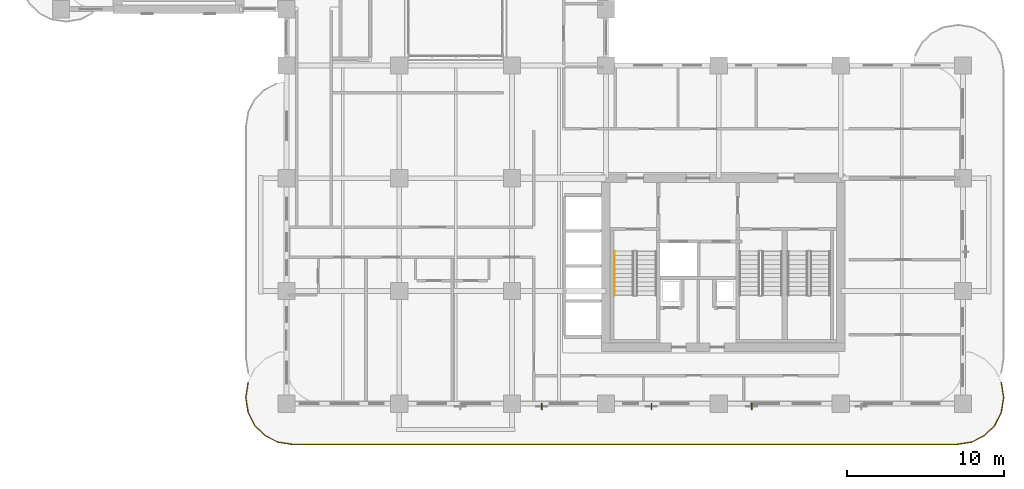
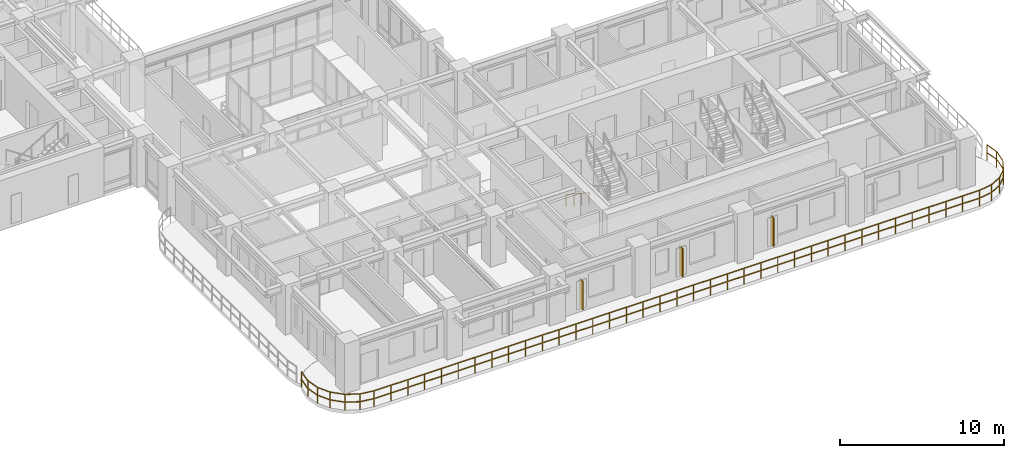
# One storey, part 20 of 22: 3 shading devices, 2 railings.
"""IFC4 building model written with IfcOpenShell, lengths in metres."""

import ifcopenshell
import ifcopenshell.guid

model = None  # the IFC model being written
_history = None  # IfcOwnerHistory: only IFC2X3 demands one
_inside = {}  # id of a spatial element -> (the spatial element, [elements in it])
_under = {}  # id of a project, library or spatial element -> (it, [spatial elements below it])
_declared = {}  # id of a project -> (the project, [libraries it declares])
_typed = {}  # id of a type object -> (the type object, [elements of that type])
_made_of = {}  # id of a material, layer set ... -> (it, [elements and type objects made of it])


def new_model(schema):
    """Start an empty IFC model of exactly this schema.

    Asked for "IFC4X3", IfcOpenShell would pick the latest addendum, in which some entities
    have other attributes; the version numbers below select the first issue.
    IFC2X3 requires an IfcOwnerHistory on every rooted entity: one is made here for all.
    """
    global model, _history
    if schema == "IFC4X3":
        model = ifcopenshell.file(schema_version=(4, 3, 0, 0))
    else:
        model = ifcopenshell.file(schema=schema)
    _inside.clear()
    _under.clear()
    _declared.clear()
    _typed.clear()
    _made_of.clear()
    _history = None
    if model.schema == "IFC2X3":
        org = make("IfcOrganization", Name="unknown")
        user = make(
            "IfcPersonAndOrganization",
            ThePerson=make("IfcPerson", FamilyName="unknown"),
            TheOrganization=org,
        )
        app = make(
            "IfcApplication",
            ApplicationDeveloper=org,
            Version="unknown",
            ApplicationFullName="unknown",
            ApplicationIdentifier="unknown",
        )
        _history = make(
            "IfcOwnerHistory",
            OwningUser=user,
            OwningApplication=app,
            ChangeAction="ADDED",
            CreationDate=0,
        )
    return model


def make(cls, **values):
    """One entity of the class cls with the attributes given. An attribute that is None is left unset."""
    return model.create_entity(
        cls, **{name: value for name, value in values.items() if value is not None}
    )


def rooted(cls, **values):
    """An entity with a GlobalId (a new one), such as an element, a storey or a relation."""
    return make(cls, GlobalId=ifcopenshell.guid.new(), OwnerHistory=_history, **values)


def si_unit(unit_type, name, prefix=None):
    """IfcSIUnit, for example si_unit("LENGTHUNIT", "METRE", prefix="MILLI")."""
    return make("IfcSIUnit", UnitType=unit_type, Prefix=prefix, Name=name)


def derived_unit(unit_type, elements):
    """IfcDerivedUnit: a product of units, each with its exponent."""
    return make(
        "IfcDerivedUnit",
        Elements=[
            make("IfcDerivedUnitElement", Unit=unit, Exponent=power)
            for unit, power in elements
        ],
        UnitType=unit_type,
    )


def assignment(units):
    """IfcUnitAssignment: the units of a project."""
    return None if units is None else make("IfcUnitAssignment", Units=units)


def point(xyz):
    """IfcCartesianPoint."""
    return None if xyz is None else make("IfcCartesianPoint", Coordinates=xyz)


def direction(xyz):
    """IfcDirection."""
    return None if xyz is None else make("IfcDirection", DirectionRatios=xyz)


def frame(location, z_axis=None, x_axis=None):
    """IfcAxis2Placement3D, a coordinate frame: its origin and axes. An axis left out is left unset."""
    return make(
        "IfcAxis2Placement3D",
        Location=point(location),
        Axis=direction(z_axis),
        RefDirection=direction(x_axis),
    )


def frame_2d(location, x_axis=None):
    """IfcAxis2Placement2D, a coordinate frame in the plane: its origin and x axis."""
    return make(
        "IfcAxis2Placement2D", Location=point(location), RefDirection=direction(x_axis)
    )


def origin():
    """The frame at (0, 0, 0) with its axes left unset."""
    return frame((0.0, 0.0, 0.0))


def origin_2d():
    """The frame at (0, 0) in the plane with its x axis left unset."""
    return frame_2d((0.0, 0.0))


def place(relative_to, where):
    """IfcLocalPlacement: puts the frame where relative to a parent placement (None: the world)."""
    return make(
        "IfcLocalPlacement", PlacementRelTo=relative_to, RelativePlacement=where
    )


def context(
    kind, dimensions, precision=None, world=None, true_north=None, identifier=None
):
    """IfcGeometricRepresentationContext, for example the 3D "Model" context."""
    return make(
        "IfcGeometricRepresentationContext",
        ContextIdentifier=identifier,
        ContextType=kind,
        CoordinateSpaceDimension=dimensions,
        Precision=precision,
        WorldCoordinateSystem=world,
        TrueNorth=true_north,
    )


def subcontext(parent, identifier, kind, view, scale=None):
    """IfcGeometricRepresentationSubContext, for example "Body" below "Model"."""
    return make(
        "IfcGeometricRepresentationSubContext",
        ContextIdentifier=identifier,
        ContextType=kind,
        ParentContext=parent,
        TargetScale=scale,
        TargetView=view,
    )


def project(units=None, contexts=None):
    """IfcProject with its units and contexts."""
    return rooted(
        "IfcProject",
        Name="project",
        RepresentationContexts=contexts,
        UnitsInContext=assignment(units),
    )


def spatial(cls, under=None, at=None, **own):
    """A site, building, storey or space (cls), placed at a placement, below another one or the project."""
    s = rooted(cls, ObjectPlacement=at, **own)
    if under is not None:
        _under.setdefault(under.id(), (under, []))[1].append(s)
    return s


def profile(cls, at=None, kind="AREA", **sizes):
    """A parametric profile (cls). Its sizes go by their IFC names, for example OverallWidth=200.0."""
    return make(cls, ProfileType=kind, Position=at, **sizes)


def rectangle(**sizes):
    """IfcRectangleProfileDef."""
    return profile("IfcRectangleProfileDef", **sizes)


def extrude(swept, where, along, depth):
    """IfcExtrudedAreaSolid: the profile swept, set in the frame where, extruded along a direction by depth."""
    return make(
        "IfcExtrudedAreaSolid",
        SweptArea=swept,
        Position=where,
        ExtrudedDirection=direction(along),
        Depth=depth,
    )


def shape(context_of_items, identifier, shape_type, items):
    """IfcShapeRepresentation: the items that make up one representation, for example the "Body"."""
    return make(
        "IfcShapeRepresentation",
        ContextOfItems=context_of_items,
        RepresentationIdentifier=identifier,
        RepresentationType=shape_type,
        Items=items,
    )


def source(mapping_origin, context_of_items, identifier, shape_type, items):
    """IfcRepresentationMap: a shape defined once, which mapped items show again and again."""
    return make(
        "IfcRepresentationMap",
        MappingOrigin=mapping_origin,
        MappedRepresentation=shape(context_of_items, identifier, shape_type, items),
    )


def transform(
    local_origin,
    x_axis=None,
    y_axis=None,
    z_axis=None,
    scale=None,
    scale2=None,
    scale3=None,
    uniform=True,
):
    """IfcCartesianTransformationOperator3D, or its non-uniform kind. x_axis, y_axis, z_axis: its Axis1, 2, 3."""
    if uniform:
        return make(
            "IfcCartesianTransformationOperator3D",
            Axis1=direction(x_axis),
            Axis2=direction(y_axis),
            LocalOrigin=point(local_origin),
            Scale=scale,
            Axis3=direction(z_axis),
        )
    return make(
        "IfcCartesianTransformationOperator3DnonUniform",
        Axis1=direction(x_axis),
        Axis2=direction(y_axis),
        LocalOrigin=point(local_origin),
        Scale=scale,
        Axis3=direction(z_axis),
        Scale2=scale2,
        Scale3=scale3,
    )


def mapped(mapping_source, mapping_target):
    """IfcMappedItem: shows the shape of a source again, moved by a transform."""
    return make(
        "IfcMappedItem", MappingSource=mapping_source, MappingTarget=mapping_target
    )


def material(Name=None, Category=None):
    """IfcMaterial."""
    return make("IfcMaterial", Name=Name, Category=Category)


def layer(
    of_material, thickness, ventilated=None, Name=None, Category=None, Priority=None
):
    """IfcMaterialLayer: one layer of a wall or slab, of a material (None: an air gap)."""
    return make(
        "IfcMaterialLayer",
        Material=of_material,
        LayerThickness=thickness,
        IsVentilated=ventilated,
        Name=Name,
        Category=Category,
        Priority=Priority,
    )


def layer_set(layers, Name=None):
    """IfcMaterialLayerSet."""
    return make("IfcMaterialLayerSet", MaterialLayers=layers, LayerSetName=Name)


def made_of(thing, what):
    """Note that an element or type object is made of a material, layer set ...; save() writes the relation."""
    if what is not None:
        _made_of.setdefault(what.id(), (what, []))[1].append(thing)
    return thing


def type_object(cls, material=None, **own):
    """A type object (cls), such as IfcWallType, which elements share."""
    return made_of(rooted(cls, **own), material)


def type_shapes(of_type, sources):
    """Give a type object the sources (RepresentationMaps) that its elements show as mapped items."""
    of_type.RepresentationMaps = sources


def element(
    cls,
    number,
    at=None,
    inside=None,
    cuts=None,
    type_object=None,
    material=None,
    context=None,
    identifier="Body",
    shape_type=None,
    held_by="IfcProductDefinitionShape",
    body=None,
    shapes=None,
    **own,
):
    """One element of the class cls, such as IfcWall. Its Tag is "e" and its number.

    at: its placement. inside: the storey or other place that contains it. cuts: it is an
    opening in that element (IfcRelVoidsElement). A single representation is given by context,
    identifier, shape_type and body (its items); several are given by shapes. held_by: the class
    of the entity that holds the representations. save() writes the other relations.
    """
    e = rooted(cls, Tag="e%d" % number, ObjectPlacement=at, **own)
    if body is not None:
        shapes = [shape(context, identifier, shape_type, body)]
    if shapes is not None:
        e.Representation = make(held_by, Representations=shapes)
    if inside is not None:
        _inside.setdefault(inside.id(), (inside, []))[1].append(e)
    if cuts is not None:
        rooted(
            "IfcRelVoidsElement", RelatingBuildingElement=cuts, RelatedOpeningElement=e
        )
    if type_object is not None:
        _typed.setdefault(type_object.id(), (type_object, []))[1].append(e)
    return made_of(e, material)


def aggregate(whole, parts):
    """IfcRelAggregates: a whole, such as a stair, and the parts it consists of."""
    return rooted("IfcRelAggregates", RelatingObject=whole, RelatedObjects=parts)


def save(model, path):
    """Write the relations noted so far, then the file.

    IfcRelAggregates (storeys below a building ...), IfcRelContainedInSpatialStructure (elements
    in a storey), IfcRelDefinesByType, IfcRelAssociatesMaterial and IfcRelDeclares: one each for
    every whole, place, type object, material and project.
    """
    for whole, parts in _under.values():
        aggregate(whole, parts)
    for where, things in _inside.values():
        rooted(
            "IfcRelContainedInSpatialStructure",
            RelatedElements=things,
            RelatingStructure=where,
        )
    for kind, things in _typed.values():
        rooted("IfcRelDefinesByType", RelatedObjects=things, RelatingType=kind)
    for what, things in _made_of.values():
        rooted("IfcRelAssociatesMaterial", RelatedObjects=things, RelatingMaterial=what)
    for by, libraries in _declared.values():
        rooted("IfcRelDeclares", RelatingContext=by, RelatedDefinitions=libraries)
    model.write(path)


model = new_model("IFC4")

# Units and contexts
model_context = context("Model", 3, precision=1e-05, world=origin(), true_north=direction((0.0, 1.0)))
body_context = subcontext(model_context, "Body", "Model", "MODEL_VIEW")
ifc_project = project(units=[si_unit("LENGTHUNIT", "METRE"), si_unit("AREAUNIT", "SQUARE_METRE"), si_unit("VOLUMEUNIT", "CUBIC_METRE"), si_unit("PLANEANGLEUNIT", "RADIAN"), si_unit("MASSUNIT", "GRAM", prefix="KILO"), si_unit("THERMODYNAMICTEMPERATUREUNIT", "KELVIN"), si_unit("POWERUNIT", "WATT"), derived_unit("THERMALTRANSMITTANCEUNIT", [(si_unit("POWERUNIT", "WATT"), 1), (si_unit("AREAUNIT", "SQUARE_METRE"), -1), (si_unit("THERMODYNAMICTEMPERATUREUNIT", "KELVIN"), -1)])], contexts=[model_context])

# Site, building, storey
site_placement = place(None, origin())
site = spatial("IfcSite", under=ifc_project, at=site_placement, CompositionType="ELEMENT")
building_placement = place(site_placement, origin())
building = spatial("IfcBuilding", under=site, at=building_placement, Name="Zahravan Archway Hotel and Residences", CompositionType="ELEMENT")
storey_placement = place(building_placement, frame((0.0, 0.0, 76.800048828125)))
storey = spatial("IfcBuildingStorey", under=building, at=storey_placement, Name="L18", CompositionType="ELEMENT", Elevation=76.800048828125)

# Railings
ifc_material_1 = material(Name="Bronze & Laminated Glass Balustrade", Category="glass")
railing_type_1 = type_object("IfcRailingType", Name="RL-BAL-1200", PredefinedType="BALUSTRADE", material=ifc_material_1)
railing_1_placement = place(storey_placement, frame((60.0556640625, 1.361572265625, 0.0)))
element("IfcRailing", 1, at=railing_1_placement, inside=storey, type_object=railing_type_1, Name="L18 Balustrade RL-SLB-BAL-L18-SA-1", PredefinedType="BALUSTRADE", context=body_context, shape_type="SweptSolid", body=[
    extrude(rectangle(XDim=0.048095703125, YDim=0.048095703125, at=origin_2d()), frame((0.0, 0.0, 1.17578125), z_axis=(0.156329311416, -0.987704989555, 0.0), x_axis=(0.987704989555, 0.156329311416, 0.0)), (0.0, 0.0, 1.0), 0.9228515625),
    extrude(rectangle(XDim=0.048095703125, YDim=0.048095703125, at=origin_2d()), frame((0.0, 0.0, 0.60009765625), z_axis=(0.156329311416, -0.987704989555, 0.0), x_axis=(0.987704989555, 0.156329311416, 0.0)), (0.0, 0.0, 1.0), 0.9228515625),
    extrude(rectangle(XDim=0.048095703125, YDim=0.048095703125, at=origin_2d()), frame((0.144287109375, -0.91162109375, 1.17578125), z_axis=(0.0, -1.0, 0.0), x_axis=(1.0, 0.0, 0.0)), (0.0, 0.0, 1.0), 0.099853515625),
    extrude(rectangle(XDim=0.048095703125, YDim=0.048095703125, at=origin_2d()), frame((0.144287109375, -0.91162109375, 0.60009765625), z_axis=(0.0, -1.0, 0.0), x_axis=(1.0, 0.0, 0.0)), (0.0, 0.0, 1.0), 0.099853515625),
    extrude(rectangle(XDim=0.048095703125, YDim=0.048095703125, at=origin_2d()), frame((0.144287109375, -1.011474609375, 1.17578125), z_axis=(-0.156329311416, -0.987704989555, 0.0), x_axis=(0.987704989555, -0.156329311416, 0.0)), (0.0, 0.0, 1.0), 0.9228515625),
    extrude(rectangle(XDim=0.048095703125, YDim=0.048095703125, at=origin_2d()), frame((0.144287109375, -1.011474609375, 0.60009765625), z_axis=(-0.156329311416, -0.987704989555, 0.0), x_axis=(0.987704989555, -0.156329311416, 0.0)), (0.0, 0.0, 1.0), 0.9228515625),
    extrude(rectangle(XDim=0.048095703125, YDim=0.048095703125, at=origin_2d()), frame((0.0, -1.923095703125, 1.17578125), z_axis=(-0.453866348456, -0.891069771532, 0.0), x_axis=(0.891069771532, -0.453866348456, 0.0)), (0.0, 0.0, 1.0), 0.923095703125),
    extrude(rectangle(XDim=0.048095703125, YDim=0.048095703125, at=origin_2d()), frame((0.0, -1.923095703125, 0.60009765625), z_axis=(-0.453866348456, -0.891069771532, 0.0), x_axis=(0.891069771532, -0.453866348456, 0.0)), (0.0, 0.0, 1.0), 0.923095703125),
    extrude(rectangle(XDim=0.048095703125, YDim=0.048095703125, at=origin_2d()), frame((-0.4189453125, -2.74560546875, 1.17578125), z_axis=(-0.707239012465, -0.706974525176, 0.0), x_axis=(0.706974525176, -0.707239012465, 0.0)), (0.0, 0.0, 1.0), 0.923095703125),
    extrude(rectangle(XDim=0.048095703125, YDim=0.048095703125, at=origin_2d()), frame((-0.4189453125, -2.74560546875, 0.60009765625), z_axis=(-0.707239012465, -0.706974525176, 0.0), x_axis=(0.706974525176, -0.707239012465, 0.0)), (0.0, 0.0, 1.0), 0.923095703125),
    extrude(rectangle(XDim=0.048095703125, YDim=0.048095703125, at=origin_2d()), frame((-1.07177734375, -3.398193359375, 1.17578125), z_axis=(-0.891015268556, -0.453973337542, 0.0), x_axis=(0.453973337542, -0.891015268556, 0.0)), (0.0, 0.0, 1.0), 0.9228515625),
    extrude(rectangle(XDim=0.048095703125, YDim=0.048095703125, at=origin_2d()), frame((-1.07177734375, -3.398193359375, 0.60009765625), z_axis=(-0.891015268556, -0.453973337542, 0.0), x_axis=(0.453973337542, -0.891015268556, 0.0)), (0.0, 0.0, 1.0), 0.9228515625),
    extrude(rectangle(XDim=0.048095703125, YDim=0.048095703125, at=origin_2d()), frame((-1.89404296875, -3.817138671875, 1.17578125), z_axis=(-0.98766411426, -0.156587347521, 0.0), x_axis=(0.156587347521, -0.98766411426, 0.0)), (0.0, 0.0, 1.0), 0.923095703125),
    extrude(rectangle(XDim=0.048095703125, YDim=0.048095703125, at=origin_2d()), frame((-1.89404296875, -3.817138671875, 0.60009765625), z_axis=(-0.98766411426, -0.156587347521, 0.0), x_axis=(0.156587347521, -0.98766411426, 0.0)), (0.0, 0.0, 1.0), 0.923095703125),
    extrude(rectangle(XDim=0.048095703125, YDim=0.048095703125, at=origin_2d()), frame((-2.8056640625, -3.961669921875, 1.17578125), z_axis=(-1.0, 0.0, 0.0), x_axis=(0.0, -1.0, 0.0)), (0.0, 0.0, 1.0), 42.5),
    extrude(rectangle(XDim=0.048095703125, YDim=0.048095703125, at=origin_2d()), frame((-2.8056640625, -3.961669921875, 0.60009765625), z_axis=(-1.0, 0.0, 0.0), x_axis=(0.0, -1.0, 0.0)), (0.0, 0.0, 1.0), 42.5),
    extrude(rectangle(XDim=0.048095703125, YDim=0.048095703125, at=origin_2d()), frame((-45.3056640625, -3.961669921875, 1.17578125), z_axis=(-0.98766411426, 0.156587347521, 0.0), x_axis=(-0.156587347521, -0.98766411426, 0.0)), (0.0, 0.0, 1.0), 0.923095703125),
    extrude(rectangle(XDim=0.048095703125, YDim=0.048095703125, at=origin_2d()), frame((-45.3056640625, -3.961669921875, 0.60009765625), z_axis=(-0.98766411426, 0.156587347521, 0.0), x_axis=(-0.156587347521, -0.98766411426, 0.0)), (0.0, 0.0, 1.0), 0.923095703125),
    extrude(rectangle(XDim=0.048095703125, YDim=0.048095703125, at=origin_2d()), frame((-46.21728515625, -3.817138671875, 1.17578125), z_axis=(-0.891015268556, 0.453973337542, 0.0), x_axis=(-0.453973337542, -0.891015268556, 0.0)), (0.0, 0.0, 1.0), 0.9228515625),
    extrude(rectangle(XDim=0.048095703125, YDim=0.048095703125, at=origin_2d()), frame((-46.21728515625, -3.817138671875, 0.60009765625), z_axis=(-0.891015268556, 0.453973337542, 0.0), x_axis=(-0.453973337542, -0.891015268556, 0.0)), (0.0, 0.0, 1.0), 0.9228515625),
    extrude(rectangle(XDim=0.048095703125, YDim=0.048095703125, at=origin_2d()), frame((-47.03955078125, -3.398193359375, 1.17578125), z_axis=(-0.707239012465, 0.706974525176, 0.0), x_axis=(-0.706974525176, -0.707239012465, 0.0)), (0.0, 0.0, 1.0), 0.923095703125),
    extrude(rectangle(XDim=0.048095703125, YDim=0.048095703125, at=origin_2d()), frame((-47.03955078125, -3.398193359375, 0.60009765625), z_axis=(-0.707239012465, 0.706974525176, 0.0), x_axis=(-0.706974525176, -0.707239012465, 0.0)), (0.0, 0.0, 1.0), 0.923095703125),
    extrude(rectangle(XDim=0.048095703125, YDim=0.048095703125, at=origin_2d()), frame((-47.6923828125, -2.74560546875, 1.17578125), z_axis=(-0.453866348456, 0.891069771532, 0.0), x_axis=(-0.891069771532, -0.453866348456, 0.0)), (0.0, 0.0, 1.0), 0.923095703125),
    extrude(rectangle(XDim=0.048095703125, YDim=0.048095703125, at=origin_2d()), frame((-47.6923828125, -2.74560546875, 0.60009765625), z_axis=(-0.453866348456, 0.891069771532, 0.0), x_axis=(-0.891069771532, -0.453866348456, 0.0)), (0.0, 0.0, 1.0), 0.923095703125),
    extrude(rectangle(XDim=0.048095703125, YDim=0.048095703125, at=origin_2d()), frame((-48.111328125, -1.923095703125, 1.17578125), z_axis=(-0.156329311416, 0.987704989555, 0.0), x_axis=(-0.987704989555, -0.156329311416, 0.0)), (0.0, 0.0, 1.0), 0.9228515625),
    extrude(rectangle(XDim=0.048095703125, YDim=0.048095703125, at=origin_2d()), frame((-48.111328125, -1.923095703125, 0.60009765625), z_axis=(-0.156329311416, 0.987704989555, 0.0), x_axis=(-0.987704989555, -0.156329311416, 0.0)), (0.0, 0.0, 1.0), 0.9228515625),
    extrude(rectangle(XDim=0.048095703125, YDim=0.048095703125, at=origin_2d()), frame((-48.255615234375, -1.011474609375, 1.17578125), z_axis=(0.0, 1.0, 0.0), x_axis=(-1.0, 0.0, 0.0)), (0.0, 0.0, 1.0), 0.099853515625),
    extrude(rectangle(XDim=0.048095703125, YDim=0.048095703125, at=origin_2d()), frame((-48.255615234375, -1.011474609375, 0.60009765625), z_axis=(0.0, 1.0, 0.0), x_axis=(-1.0, 0.0, 0.0)), (0.0, 0.0, 1.0), 0.099853515625),
    extrude(rectangle(XDim=0.048095703125, YDim=0.048095703125, at=origin_2d()), frame((-48.255615234375, -0.91162109375, 1.17578125), z_axis=(0.156329311416, 0.987704989555, 0.0), x_axis=(-0.987704989555, 0.156329311416, 0.0)), (0.0, 0.0, 1.0), 0.9228515625),
    extrude(rectangle(XDim=0.048095703125, YDim=0.048095703125, at=origin_2d()), frame((-48.255615234375, -0.91162109375, 0.60009765625), z_axis=(0.156329311416, 0.987704989555, 0.0), x_axis=(-0.987704989555, 0.156329311416, 0.0)), (0.0, 0.0, 1.0), 0.9228515625),
    extrude(rectangle(XDim=0.0419921875, YDim=0.0419921875, at=origin_2d()), origin(), (0.0, 0.0, 1.0), 1.15185546875),
    extrude(rectangle(XDim=0.0419921875, YDim=0.0419921875, at=origin_2d()), frame((0.144287109375, -0.91162109375, 0.0)), (0.0, 0.0, 1.0), 1.15185546875),
    extrude(rectangle(XDim=0.0419921875, YDim=0.0419921875, at=origin_2d()), frame((0.0, -1.923095703125, 0.0)), (0.0, 0.0, 1.0), 1.15185546875),
    extrude(rectangle(XDim=0.0419921875, YDim=0.0419921875, at=origin_2d()), frame((-0.4189453125, -2.74560546875, 0.0)), (0.0, 0.0, 1.0), 1.15185546875),
    extrude(rectangle(XDim=0.0419921875, YDim=0.0419921875, at=origin_2d()), frame((-1.07177734375, -3.398193359375, 0.0)), (0.0, 0.0, 1.0), 1.15185546875),
    extrude(rectangle(XDim=0.0419921875, YDim=0.0419921875, at=origin_2d()), frame((-1.89404296875, -3.817138671875, 0.0)), (0.0, 0.0, 1.0), 1.15185546875),
    extrude(rectangle(XDim=0.0419921875, YDim=0.0419921875, at=origin_2d()), frame((-2.8056640625, -3.961669921875, 0.0)), (0.0, 0.0, 1.0), 1.15185546875),
    extrude(rectangle(XDim=0.0419921875, YDim=0.0419921875, at=origin_2d()), frame((-3.986328125, -3.961669921875, 0.0)), (0.0, 0.0, 1.0), 1.15185546875),
    extrude(rectangle(XDim=0.0419921875, YDim=0.0419921875, at=origin_2d()), frame((-5.166748046875, -3.961669921875, 0.0)), (0.0, 0.0, 1.0), 1.15185546875),
    extrude(rectangle(XDim=0.0419921875, YDim=0.0419921875, at=origin_2d()), frame((-6.347412109375, -3.961669921875, 0.0)), (0.0, 0.0, 1.0), 1.15185546875),
    extrude(rectangle(XDim=0.0419921875, YDim=0.0419921875, at=origin_2d()), frame((-7.52783203125, -3.961669921875, 0.0)), (0.0, 0.0, 1.0), 1.15185546875),
    extrude(rectangle(XDim=0.0419921875, YDim=0.0419921875, at=origin_2d()), frame((-8.70849609375, -3.961669921875, 0.0)), (0.0, 0.0, 1.0), 1.15185546875),
    extrude(rectangle(XDim=0.0419921875, YDim=0.0419921875, at=origin_2d()), frame((-9.888916015625, -3.961669921875, 0.0)), (0.0, 0.0, 1.0), 1.15185546875),
    extrude(rectangle(XDim=0.0419921875, YDim=0.0419921875, at=origin_2d()), frame((-11.069580078125, -3.961669921875, 0.0)), (0.0, 0.0, 1.0), 1.15185546875),
    extrude(rectangle(XDim=0.0419921875, YDim=0.0419921875, at=origin_2d()), frame((-12.25, -3.961669921875, 0.0)), (0.0, 0.0, 1.0), 1.15185546875),
    extrude(rectangle(XDim=0.0419921875, YDim=0.0419921875, at=origin_2d()), frame((-13.4306640625, -3.961669921875, 0.0)), (0.0, 0.0, 1.0), 1.15185546875),
    extrude(rectangle(XDim=0.0419921875, YDim=0.0419921875, at=origin_2d()), frame((-14.611328125, -3.961669921875, 0.0)), (0.0, 0.0, 1.0), 1.15185546875),
    extrude(rectangle(XDim=0.0419921875, YDim=0.0419921875, at=origin_2d()), frame((-15.791748046875, -3.961669921875, 0.0)), (0.0, 0.0, 1.0), 1.15185546875),
    extrude(rectangle(XDim=0.0419921875, YDim=0.0419921875, at=origin_2d()), frame((-16.972412109375, -3.961669921875, 0.0)), (0.0, 0.0, 1.0), 1.15185546875),
    extrude(rectangle(XDim=0.0419921875, YDim=0.0419921875, at=origin_2d()), frame((-18.15283203125, -3.961669921875, 0.0)), (0.0, 0.0, 1.0), 1.15185546875),
    extrude(rectangle(XDim=0.0419921875, YDim=0.0419921875, at=origin_2d()), frame((-19.33349609375, -3.961669921875, 0.0)), (0.0, 0.0, 1.0), 1.15185546875),
    extrude(rectangle(XDim=0.0419921875, YDim=0.0419921875, at=origin_2d()), frame((-20.513916015625, -3.961669921875, 0.0)), (0.0, 0.0, 1.0), 1.15185546875),
    extrude(rectangle(XDim=0.0419921875, YDim=0.0419921875, at=origin_2d()), frame((-21.694580078125, -3.961669921875, 0.0)), (0.0, 0.0, 1.0), 1.15185546875),
    extrude(rectangle(XDim=0.0419921875, YDim=0.0419921875, at=origin_2d()), frame((-22.875, -3.961669921875, 0.0)), (0.0, 0.0, 1.0), 1.15185546875),
    extrude(rectangle(XDim=0.0419921875, YDim=0.0419921875, at=origin_2d()), frame((-24.0556640625, -3.961669921875, 0.0)), (0.0, 0.0, 1.0), 1.15185546875),
    extrude(rectangle(XDim=0.0419921875, YDim=0.0419921875, at=origin_2d()), frame((-25.236328125, -3.961669921875, 0.0)), (0.0, 0.0, 1.0), 1.15185546875),
    extrude(rectangle(XDim=0.0419921875, YDim=0.0419921875, at=origin_2d()), frame((-26.416748046875, -3.961669921875, 0.0)), (0.0, 0.0, 1.0), 1.15185546875),
    extrude(rectangle(XDim=0.0419921875, YDim=0.0419921875, at=origin_2d()), frame((-27.597412109375, -3.961669921875, 0.0)), (0.0, 0.0, 1.0), 1.15185546875),
    extrude(rectangle(XDim=0.0419921875, YDim=0.0419921875, at=origin_2d()), frame((-28.77783203125, -3.961669921875, 0.0)), (0.0, 0.0, 1.0), 1.15185546875),
    extrude(rectangle(XDim=0.0419921875, YDim=0.0419921875, at=origin_2d()), frame((-29.95849609375, -3.961669921875, 0.0)), (0.0, 0.0, 1.0), 1.15185546875),
    extrude(rectangle(XDim=0.0419921875, YDim=0.0419921875, at=origin_2d()), frame((-31.138916015625, -3.961669921875, 0.0)), (0.0, 0.0, 1.0), 1.15185546875),
    extrude(rectangle(XDim=0.0419921875, YDim=0.0419921875, at=origin_2d()), frame((-32.319580078125, -3.961669921875, 0.0)), (0.0, 0.0, 1.0), 1.15185546875),
    extrude(rectangle(XDim=0.0419921875, YDim=0.0419921875, at=origin_2d()), frame((-33.5, -3.961669921875, 0.0)), (0.0, 0.0, 1.0), 1.15185546875),
    extrude(rectangle(XDim=0.0419921875, YDim=0.0419921875, at=origin_2d()), frame((-34.6806640625, -3.961669921875, 0.0)), (0.0, 0.0, 1.0), 1.15185546875),
    extrude(rectangle(XDim=0.0419921875, YDim=0.0419921875, at=origin_2d()), frame((-35.861328125, -3.961669921875, 0.0)), (0.0, 0.0, 1.0), 1.15185546875),
    extrude(rectangle(XDim=0.0419921875, YDim=0.0419921875, at=origin_2d()), frame((-37.041748046875, -3.961669921875, 0.0)), (0.0, 0.0, 1.0), 1.15185546875),
    extrude(rectangle(XDim=0.0419921875, YDim=0.0419921875, at=origin_2d()), frame((-38.222412109375, -3.961669921875, 0.0)), (0.0, 0.0, 1.0), 1.15185546875),
    extrude(rectangle(XDim=0.0419921875, YDim=0.0419921875, at=origin_2d()), frame((-39.40283203125, -3.961669921875, 0.0)), (0.0, 0.0, 1.0), 1.15185546875),
    extrude(rectangle(XDim=0.0419921875, YDim=0.0419921875, at=origin_2d()), frame((-40.58349609375, -3.961669921875, 0.0)), (0.0, 0.0, 1.0), 1.15185546875),
    extrude(rectangle(XDim=0.0419921875, YDim=0.0419921875, at=origin_2d()), frame((-41.763916015625, -3.961669921875, 0.0)), (0.0, 0.0, 1.0), 1.15185546875),
    extrude(rectangle(XDim=0.0419921875, YDim=0.0419921875, at=origin_2d()), frame((-42.944580078125, -3.961669921875, 0.0)), (0.0, 0.0, 1.0), 1.15185546875),
    extrude(rectangle(XDim=0.0419921875, YDim=0.0419921875, at=origin_2d()), frame((-44.125, -3.961669921875, 0.0)), (0.0, 0.0, 1.0), 1.15185546875),
    extrude(rectangle(XDim=0.0419921875, YDim=0.0419921875, at=origin_2d()), frame((-45.3056640625, -3.961669921875, 0.0)), (0.0, 0.0, 1.0), 1.15185546875),
    extrude(rectangle(XDim=0.0419921875, YDim=0.0419921875, at=origin_2d()), frame((-46.21728515625, -3.817138671875, 0.0)), (0.0, 0.0, 1.0), 1.15185546875),
    extrude(rectangle(XDim=0.0419921875, YDim=0.0419921875, at=origin_2d()), frame((-47.03955078125, -3.398193359375, 0.0)), (0.0, 0.0, 1.0), 1.15185546875),
    extrude(rectangle(XDim=0.0419921875, YDim=0.0419921875, at=origin_2d()), frame((-47.6923828125, -2.74560546875, 0.0)), (0.0, 0.0, 1.0), 1.15185546875),
    extrude(rectangle(XDim=0.0419921875, YDim=0.0419921875, at=origin_2d()), frame((-48.111328125, -1.923095703125, 0.0)), (0.0, 0.0, 1.0), 1.15185546875),
    extrude(rectangle(XDim=0.0419921875, YDim=0.0419921875, at=origin_2d()), frame((-48.255615234375, -1.011474609375, 0.0)), (0.0, 0.0, 1.0), 1.15185546875),
    extrude(rectangle(XDim=0.0419921875, YDim=0.0419921875, at=origin_2d()), frame((-48.111328125, 0.0, 0.0)), (0.0, 0.0, 1.0), 1.15185546875),
])
ifc_material_2 = material(Name="Brushed Stainless Steel", Category="steel")
railing_type_2 = type_object("IfcRailingType", Name="RL-STH-900", PredefinedType="HANDRAIL", material=ifc_material_2)
railing_2_placement = place(storey_placement, frame((35.35009765625, 9.72998046875, 0.168212890625)))
element("IfcRailing", 2, at=railing_2_placement, inside=storey, type_object=railing_type_2, Name="L18 ST-A1 stair handrail 1", PredefinedType="HANDRAIL", context=body_context, shape_type="SweptSolid", body=[
    extrude(rectangle(XDim=0.048095703125, YDim=0.048095703125, at=origin_2d()), frame((0.0, 0.0, 0.8759765625), z_axis=(0.0, -0.83435981716, 0.551220187865), x_axis=(1.0, 0.0, 0.0)), (0.0, 0.0, 1.0), 3.35595703125),
    extrude(rectangle(XDim=0.0419921875, YDim=0.0419921875, at=origin_2d()), origin(), (0.0, 0.0, 1.0), 0.851806640625),
    extrude(rectangle(XDim=0.0419921875, YDim=0.0419921875, at=origin_2d()), frame((0.0, -0.933349609375, 0.61669921875)), (0.0, 0.0, 1.0), 0.851806640625),
    extrude(rectangle(XDim=0.0419921875, YDim=0.0419921875, at=origin_2d()), frame((0.0, -1.86669921875, 1.233154296875)), (0.0, 0.0, 1.0), 0.851806640625),
    extrude(rectangle(XDim=0.0419921875, YDim=0.0419921875, at=origin_2d()), frame((0.0, -2.800048828125, 1.849853515625)), (0.0, 0.0, 1.0), 0.851806640625),
])

# Shading devices
ifc_material_3 = material(Name="Terracotta & Bronze Solar Brise-Soleil", Category="masonry")
ifc_layer = layer(ifc_material_3, 0.06005859375, Name="Terracotta & Bronze Solar Brise-Soleil", Category="masonry")
ifc_layer_set = layer_set([ifc_layer], Name="Terracotta & Bronze Solar Brise-Soleil")
shading_device_type = type_object("IfcShadingDeviceType", Name="SHD-MASH-FIN", PredefinedType="JALOUSIE", material=ifc_layer_set)
shared_shape = source(origin(), body_context, "Body", "SweptSolid", [
    extrude(rectangle(XDim=0.06005859375, YDim=0.419921875, at=origin_2d()), origin(), (0.0, 0.0, 1.0), 2.10009765625),
])
type_shapes(shading_device_type, [shared_shape])
for number, where, z_axis, x_axis, name in (
    (3, (30.7080078125, -0.177978515625, 0.25), (0.0, 0.0, 1.0), (1.0, 0.0, 0.0), "L18 Solar Mashrabiya Fin 02"),
    (4, (37.7080078125, -0.177978515625, 0.25), (0.0, 0.0, 1.0), (1.0, 0.0, 0.0), "L18 Solar Mashrabiya Fin 03"),
    (5, (44.10791015625, -0.177978515625, 0.25), (0.0, 0.0, 1.0), (1.0, 0.0, 0.0), "L18 Solar Mashrabiya Fin 04"),
):
    element("IfcShadingDevice", number, at=place(storey_placement, frame(where, z_axis=z_axis, x_axis=x_axis)), inside=storey, type_object=shading_device_type, Name=name, PredefinedType="JALOUSIE", context=body_context, shape_type="MappedRepresentation", body=[
        mapped(shared_shape, transform((0.0, 0.0, 0.0), scale=1.0)),
    ])

save(model, "model.ifc")
